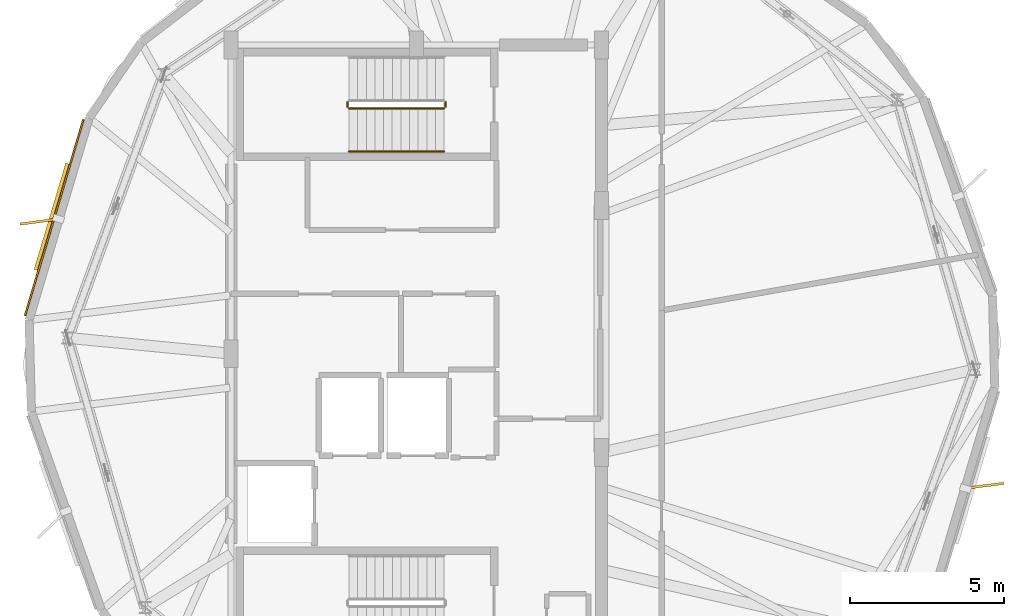
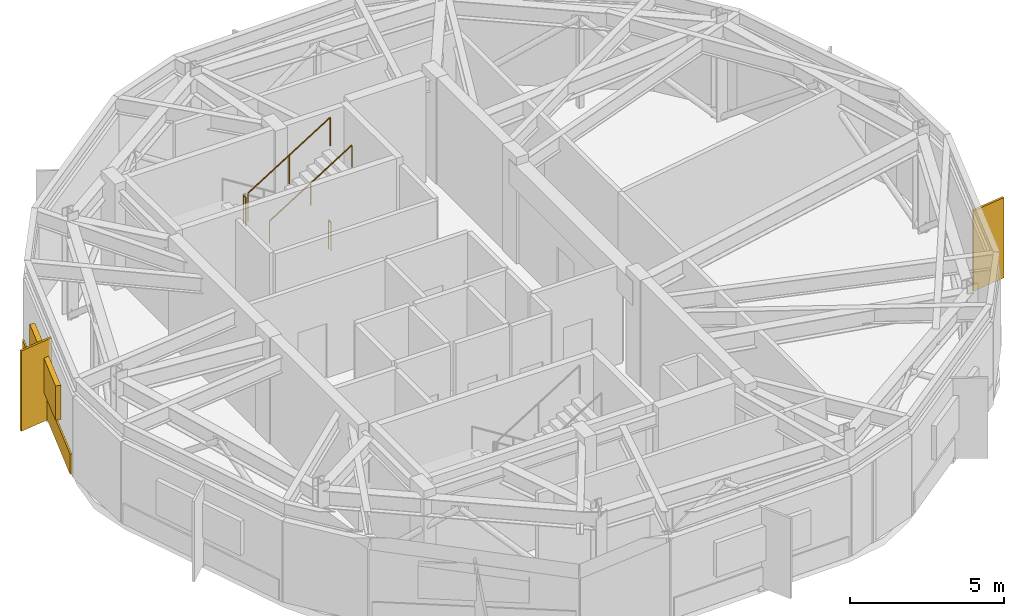
# One storey, part 8 of 9: 4 railings, 3 shading devices, 1 covering.
"""IFC4 building model written with IfcOpenShell, lengths in metres."""

from ifc_helpers import new_model, si_unit, direction, frame, origin, origin_2d, place, context, subcontext, project, spatial, rectangle, circle, extrude, material, layer, layer_set, type_object, element, save


model = new_model("IFC4")

# Units and contexts
model_context = context("Model", 3, precision=1e-05, world=origin(), true_north=direction((0.0, 1.0)))
body_context = subcontext(model_context, "Body", "Model", "MODEL_VIEW")
ifc_project = project(units=[si_unit("LENGTHUNIT", "METRE"), si_unit("AREAUNIT", "SQUARE_METRE"), si_unit("VOLUMEUNIT", "CUBIC_METRE"), si_unit("PLANEANGLEUNIT", "RADIAN"), si_unit("MASSUNIT", "GRAM", prefix="KILO")], contexts=[model_context])

# Site, building, storey
site_placement = place(None, origin())
site = spatial("IfcSite", under=ifc_project, at=site_placement, CompositionType="ELEMENT")
building_placement = place(site_placement, origin())
building = spatial("IfcBuilding", under=site, at=building_placement, Name="Soratama Intermodal Tower", CompositionType="ELEMENT")
storey_placement = place(building_placement, frame((0.0, 0.0, 305.64990234375)))
storey = spatial("IfcBuildingStorey", under=building, at=storey_placement, Name="L77", CompositionType="ELEMENT", Elevation=305.64990234375)

# Covering
ifc_material_1 = material(Name="Honed Andean limestone cladding", Category="masonry")
ifc_layer_1 = layer(ifc_material_1, 0.06005859375)
ifc_layer_set_1 = layer_set([ifc_layer_1], Name="Honed Andean limestone cladding")
covering_type = type_object("IfcCoveringType", Name="CV-STONE-CLAD", PredefinedType="CLADDING", material=ifc_layer_set_1)
covering_placement = place(storey_placement, frame((26.86962890625, 29.409912109375, 0.05029296875), z_axis=(0.0, 0.0, 1.0), x_axis=(-0.28501926247, -0.958521789017, 0.0)))
element("IfcCovering", 1, at=covering_placement, inside=storey, type_object=covering_type, Name="L77 Stone Cladding F03", PredefinedType="CLADDING", context=body_context, shape_type="SweptSolid", body=[
    extrude(rectangle(XDim=6.631103515625, YDim=0.06005859375, at=origin_2d()), origin(), (0.0, 0.0, 1.0), 0.800048828125),
])

# Railings
ifc_material_2 = material(Name="Painted steel stair guardrail", Category="steel")
railing_type_1 = type_object("IfcRailingType", Name="RL-STAIR-GUARD", PredefinedType="GUARDRAIL", material=ifc_material_2)
railing_1_placement = place(storey_placement, frame((36.3701171875, 33.14990234375, 2.10009765625)))
element("IfcRailing", 2, at=railing_1_placement, inside=storey, type_object=railing_type_1, Name="L77 ST-2 stair guard 2", PredefinedType="GUARDRAIL", context=body_context, shape_type="SweptSolid", body=[
    extrude(circle(Radius=0.02392578125, at=origin_2d()), frame((0.0, 0.0, 1.1259765625), z_axis=(0.0, -1.0, 0.0), x_axis=(1.0, 0.0, 0.0)), (0.0, 0.0, 1.0), 0.14990234375),
    extrude(circle(Radius=0.02099609375, at=origin_2d()), origin(), (0.0, 0.0, 1.0), 1.101806640625),
    extrude(circle(Radius=0.02099609375, at=origin_2d()), frame((0.0, -0.14990234375, 0.0)), (0.0, 0.0, 1.0), 1.101806640625),
])
railing_2_placement = place(storey_placement, frame((36.419921875, 32.949951171875, 2.275146484375)))
element("IfcRailing", 3, at=railing_2_placement, inside=storey, type_object=railing_type_1, Name="L77 ST-2 stair guard 3", PredefinedType="GUARDRAIL", context=body_context, shape_type="SweptSolid", body=[
    extrude(circle(Radius=0.02392578125, at=origin_2d()), frame((0.0, 0.0, 1.1259765625), z_axis=(0.847998304005, 0.0, 0.529998940003), x_axis=(0.0, 1.0, 0.0)), (0.0, 0.0, 1.0), 3.632080078125),
    extrude(circle(Radius=0.02099609375, at=origin_2d()), origin(), (0.0, 0.0, 1.0), 1.101806640625),
    extrude(circle(Radius=0.02099609375, at=origin_2d()), frame((1.5400390625, 0.0, 0.96240234375)), (0.0, 0.0, 1.0), 1.101806640625),
    extrude(circle(Radius=0.02099609375, at=origin_2d()), frame((3.080078125, 0.0, 1.925048828125)), (0.0, 0.0, 1.0), 1.101806640625),
])
railing_3_placement = place(storey_placement, frame((39.550048828125, 33.14990234375, 0.0)))
element("IfcRailing", 4, at=railing_3_placement, inside=storey, type_object=railing_type_1, Name="L77 ST-2 stair guard 4", PredefinedType="GUARDRAIL", context=body_context, shape_type="SweptSolid", body=[
    extrude(circle(Radius=0.02392578125, at=origin_2d()), frame((0.0, 0.0, 1.1259765625), z_axis=(0.0, -1.0, 0.0), x_axis=(1.0, 0.0, 0.0)), (0.0, 0.0, 1.0), 0.14990234375),
    extrude(circle(Radius=0.02099609375, at=origin_2d()), origin(), (0.0, 0.0, 1.0), 1.101806640625),
    extrude(circle(Radius=0.02099609375, at=origin_2d()), frame((0.0, -0.14990234375, 0.0)), (0.0, 0.0, 1.0), 1.101806640625),
])
ifc_material_3 = material(Name="Brushed stainless steel handrail", Category="steel")
railing_type_2 = type_object("IfcRailingType", Name="RL-STAIR-HAND", PredefinedType="HANDRAIL", material=ifc_material_3)
railing_4_placement = place(storey_placement, frame((36.419921875, 31.550048828125, 2.275146484375)))
element("IfcRailing", 5, at=railing_4_placement, inside=storey, type_object=railing_type_2, Name="L77 ST-2 stair handrail 2", PredefinedType="HANDRAIL", context=body_context, shape_type="SweptSolid", body=[
    extrude(circle(Radius=0.02392578125, at=origin_2d()), frame((0.0, 0.0, 0.8759765625), z_axis=(0.847998304005, 0.0, 0.529998940003), x_axis=(0.0, 1.0, 0.0)), (0.0, 0.0, 1.0), 3.632080078125),
    extrude(circle(Radius=0.02099609375, at=origin_2d()), origin(), (0.0, 0.0, 1.0), 0.851806640625),
    extrude(circle(Radius=0.02099609375, at=origin_2d()), frame((1.5400390625, 0.0, 0.96240234375)), (0.0, 0.0, 1.0), 0.851806640625),
    extrude(circle(Radius=0.02099609375, at=origin_2d()), frame((3.080078125, 0.0, 1.925048828125)), (0.0, 0.0, 1.0), 0.851806640625),
])

# Shading devices
ifc_material_4 = material(Name="Champagne anodised aluminium solar fin", Category="aluminium")
ifc_layer_2 = layer(ifc_material_4, 0.080078125)
ifc_layer_set_2 = layer_set([ifc_layer_2], Name="Champagne anodised aluminium solar fin")
shading_device_type_1 = type_object("IfcShadingDeviceType", Name="SH-FIN-1250", PredefinedType="USERDEFINED", material=ifc_layer_set_2)
for number, where, z_axis, x_axis, name in (
    (6, (26.383544921875, 29.28076171875, 0.02001953125), (0.0, 0.0, 1.0), (-0.991581004437, -0.12948788221, 0.0), "L77 Solar Fin F03-1"),
    (7, (57.0166015625, 20.71923828125, 0.02001953125), (0.0, 0.0, 1.0), (0.991581004437, 0.12948788221, 0.0), "L77 Solar Fin F08-1"),
):
    element("IfcShadingDevice", number, at=place(storey_placement, frame(where, z_axis=z_axis, x_axis=x_axis)), inside=storey, type_object=shading_device_type_1, Name=name, ObjectType="FIN", PredefinedType="USERDEFINED", context=body_context, shape_type="SweptSolid", body=[
        extrude(rectangle(XDim=1.25, YDim=0.080078125, at=origin_2d()), origin(), (0.0, 0.0, 1.0), 3.175048828125),
    ])
ifc_material_5 = material(Name="Anodised aluminium weather louvre", Category="aluminium")
ifc_layer_3 = layer(ifc_material_5, 0.1201171875)
ifc_layer_set_3 = layer_set([ifc_layer_3], Name="Anodised aluminium weather louvre")
shading_device_type_2 = type_object("IfcShadingDeviceType", Name="SH-LOUVRE-PLANT", PredefinedType="JALOUSIE", material=ifc_layer_set_3)
shading_device_placement = place(storey_placement, frame((26.812255859375, 29.427001953125, 1.175048828125), z_axis=(0.0, 0.0, 1.0), x_axis=(-0.28501926247, -0.958521789017, 0.0)))
element("IfcShadingDevice", 8, at=shading_device_placement, inside=storey, type_object=shading_device_type_2, Name="L77 Acoustic Louvre F03", PredefinedType="JALOUSIE", context=body_context, shape_type="SweptSolid", body=[
    extrude(rectangle(XDim=3.60009765625, YDim=0.179931640625, at=origin_2d()), origin(), (0.0, 0.0, 1.0), 1.35009765625),
])

save(model, "model.ifc")
